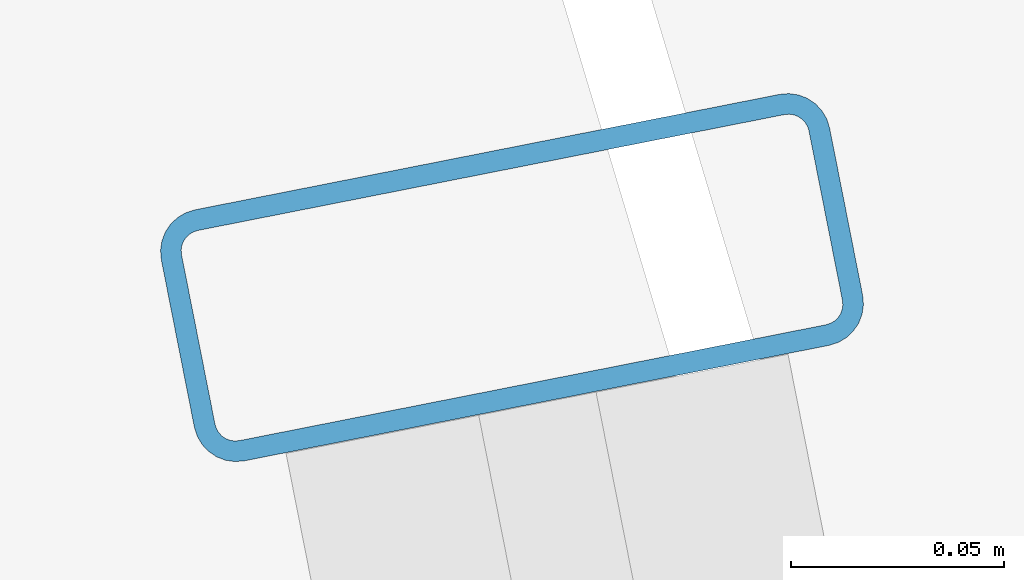
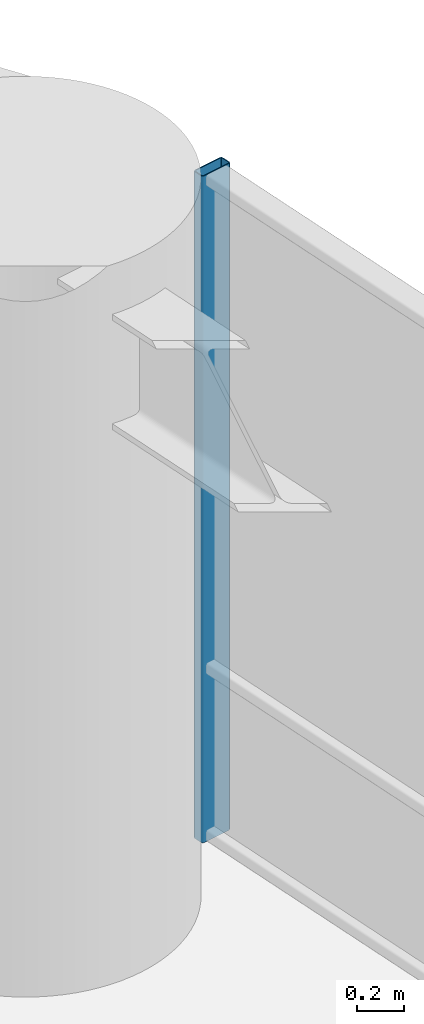
# One storey, part 19 of 31: 1 member, 1 element without a shape of its own.
"""IFC4 building model written with IfcOpenShell, lengths in metres."""

from ifc_helpers import new_model, si_unit, direction, frame, origin, origin_2d, place, context, subcontext, project, spatial, hollow_rectangle, extrude, material, layer, layer_set, material_profile, profile_set, type_object, element, aggregate, save


model = new_model("IFC4")

# Units and contexts
model_context = context("Model", 3, precision=1e-05, world=origin(), true_north=direction((0.0, 1.0)))
body_context = subcontext(model_context, "Body", "Model", "MODEL_VIEW")
ifc_project = project(units=[si_unit("LENGTHUNIT", "METRE"), si_unit("AREAUNIT", "SQUARE_METRE"), si_unit("VOLUMEUNIT", "CUBIC_METRE"), si_unit("PLANEANGLEUNIT", "RADIAN"), si_unit("MASSUNIT", "GRAM", prefix="KILO")], contexts=[model_context])

# Site, building, storey
site_placement = place(None, origin())
site = spatial("IfcSite", under=ifc_project, at=site_placement, CompositionType="ELEMENT")
building_placement = place(site_placement, origin())
building = spatial("IfcBuilding", under=site, at=building_placement, Name="Kelanora Arch Commons", CompositionType="ELEMENT")
storey_placement = place(building_placement, frame((0.0, 0.0, 63.75)))
storey = spatial("IfcBuildingStorey", under=building, at=storey_placement, Name="L16", CompositionType="ELEMENT", Elevation=63.75)

# Curtain wall, member
ifc_material_1 = material(Name="Terracotta ceramic-fritted low-E glass and aluminium", Category="masonry")
ifc_layer = layer(ifc_material_1, 0.159912109375)
ifc_layer_set = layer_set([ifc_layer], Name="Terracotta ceramic-fritted low-E glass and aluminium")
curtain_wall_type = type_object("IfcCurtainWallType", Name="CW-SYS-01", PredefinedType="NOTDEFINED", material=ifc_layer_set)
curtain_wall_placement = place(storey_placement, origin())
curtain_wall = element("IfcCurtainWall", 1, at=curtain_wall_placement, inside=storey, type_object=curtain_wall_type, Name="Unitised Curtain Wall L16-B00", PredefinedType="NOTDEFINED")
ifc_material_2 = material(Name="Powder-coated aluminium terracotta", Category="masonry")
ifc_material_profile = material_profile(ifc_material_2, hollow_rectangle(XDim=0.159912109375, YDim=0.06005859375, WallThickness=0.0048828125, InnerFilletRadius=0.0048828125, OuterFilletRadius=0.010009765625, at=origin_2d()), Name="CWM160x60")
ifc_profile_set = profile_set([ifc_material_profile], Name="Powder-coated aluminium terracotta")
member_type = type_object("IfcMemberType", Name="CWM-STD", PredefinedType="MULLION", material=ifc_profile_set)
member_placement = place(storey_placement, frame((100.371826171875, 66.243896484375, 0.0), z_axis=(0.0, 0.0, 1.0), x_axis=(-0.981052110579, -0.193744048498, 0.0)))
member = element("IfcMember", 2, at=member_placement, type_object=member_type, Name="CW-01 mullion 3", PredefinedType="MULLION", context=body_context, shape_type="SweptSolid", body=[
    extrude(hollow_rectangle(XDim=0.159912109375, YDim=0.06005859375, WallThickness=0.0048828125, InnerFilletRadius=0.0048828125, OuterFilletRadius=0.010009765625, at=origin_2d()), origin(), (0.0, 0.0, 1.0), 3.47509765625),
])
aggregate(curtain_wall, [member])

save(model, "model.ifc")
